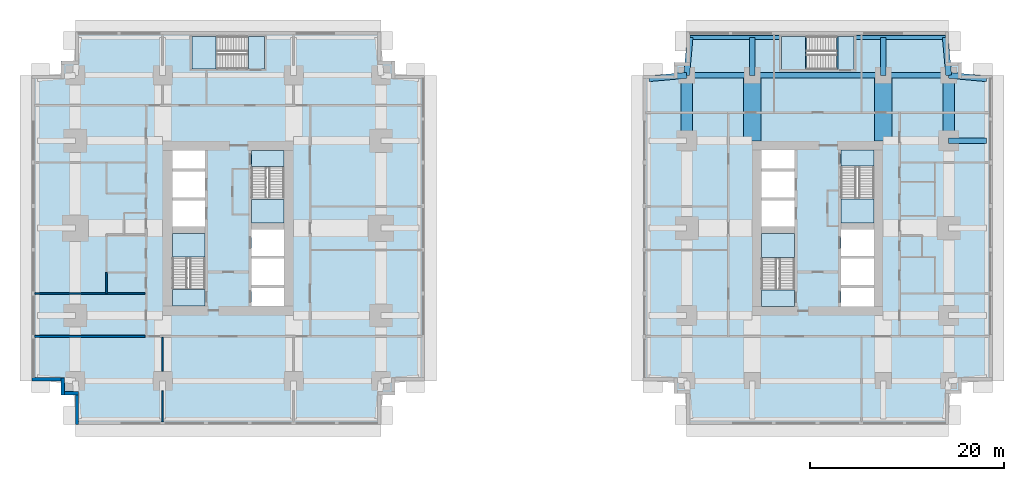
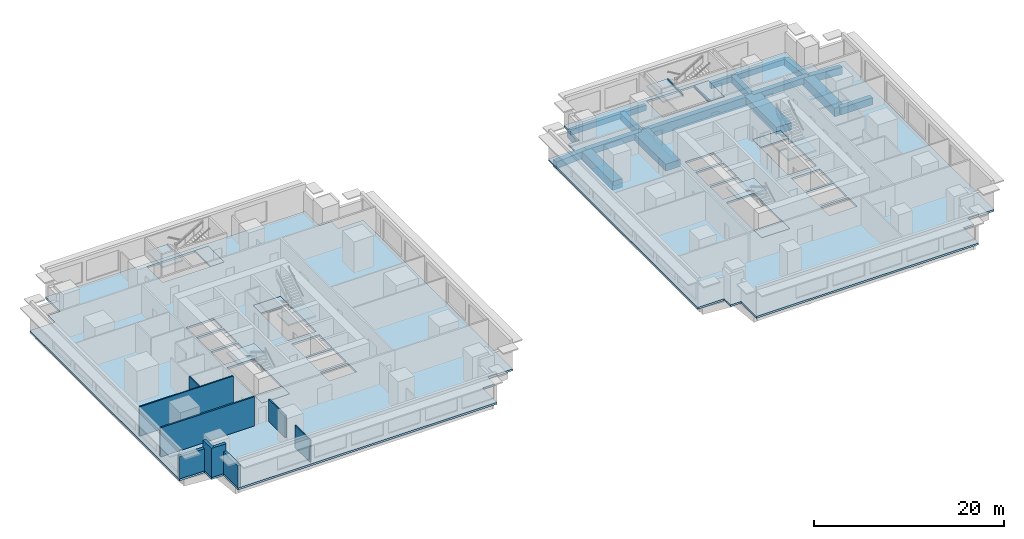
# One storey, part 2 of 11: 18 beams, 14 slabs, 9 walls, 6 elements without a shape of their own.
"""IFC4 building model written with IfcOpenShell, lengths in metres."""

from ifc_helpers import new_model, si_unit, direction, frame, frame_2d, origin, origin_2d, place, context, subcontext, project, spatial, polyline, rectangle, i_section, outline, extrude, material, layer, layer_set, material_profile, profile_set, type_object, element, aggregate, save


model = new_model("IFC4")

# Units and contexts
model_context = context("Model", 3, precision=1e-05, world=origin(), true_north=direction((0.0, 1.0)))
body_context = subcontext(model_context, "Body", "Model", "MODEL_VIEW")
ifc_project = project(units=[si_unit("LENGTHUNIT", "METRE"), si_unit("AREAUNIT", "SQUARE_METRE"), si_unit("VOLUMEUNIT", "CUBIC_METRE"), si_unit("PLANEANGLEUNIT", "RADIAN"), si_unit("MASSUNIT", "GRAM", prefix="KILO")], contexts=[model_context])

# Site, building, storey
site_placement = place(None, origin())
site = spatial("IfcSite", under=ifc_project, at=site_placement, CompositionType="ELEMENT")
building_placement = place(site_placement, origin())
building = spatial("IfcBuilding", under=site, at=building_placement, Name="Namib Vertical Campus", CompositionType="ELEMENT")
storey_placement = place(building_placement, frame((0.0, 0.0, 57.0)))
storey = spatial("IfcBuildingStorey", under=building, at=storey_placement, Name="L13", CompositionType="ELEMENT", Elevation=57.0)

# Beams
ifc_material_1 = material(Name="Concrete C40/50", Category="concrete")
ifc_material_profile_1 = material_profile(ifc_material_1, rectangle(XDim=0.60009765625, YDim=0.89990234375, at=origin_2d()))
ifc_profile_set_1 = profile_set([ifc_material_profile_1], Name="Concrete C40/50")
beam_type_1 = type_object("IfcBeamType", Name="Cantilever girder RC 600x900", PredefinedType="BEAM", material=ifc_profile_set_1)
beam_1_placement = place(storey_placement, frame((67.5, 36.0, -0.699951171875), z_axis=(0.089411326146, 0.995994786511, 0.0), x_axis=(-0.995994786511, 0.089411326146, 0.0)))
element("IfcBeam", 1, at=beam_1_placement, inside=storey, type_object=beam_type_1, Name="Beam B3 L13", PredefinedType="BEAM", context=body_context, shape_type="SweptSolid", body=[
    extrude(rectangle(XDim=0.60009765625, YDim=0.89990234375, at=origin_2d()), origin(), (0.0, 0.0, 1.0), 3.91552734375),
])
for number, where, z_axis, x_axis, name in (
    (2, (74.25, 36.0, -0.699951171875), (0.0, 1.0, 0.0), (-1.0, 0.0, 0.0), "Beam B3 L13"),
    (3, (87.75, 36.0, -0.699951171875), (0.0, 1.0, 0.0), (-1.0, 0.0, 0.0), "Beam B3 L13"),
):
    element("IfcBeam", number, at=place(storey_placement, frame(where, z_axis=z_axis, x_axis=x_axis)), inside=storey, type_object=beam_type_1, Name=name, PredefinedType="BEAM", context=body_context, shape_type="SweptSolid", body=[
        extrude(rectangle(XDim=0.60009765625, YDim=0.89990234375, at=origin_2d()), origin(), (0.0, 0.0, 1.0), 3.89990234375),
    ])
for number, where, z_axis, x_axis, name in (
    (4, (94.5, 36.0, -0.699951171875), (-0.089411326146, 0.995994786511, 0.0), (-0.995994786511, -0.089411326146, 0.0), "Beam B3 L13"),
    (5, (67.5, 36.0, -0.699951171875), (-0.995994786511, -0.089411326146, 0.0), (0.089411326146, -0.995994786511, 0.0), "Beam B3 L13"),
):
    element("IfcBeam", number, at=place(storey_placement, frame(where, z_axis=z_axis, x_axis=x_axis)), inside=storey, type_object=beam_type_1, Name=name, PredefinedType="BEAM", context=body_context, shape_type="SweptSolid", body=[
        extrude(rectangle(XDim=0.60009765625, YDim=0.89990234375, at=origin_2d()), origin(), (0.0, 0.0, 1.0), 3.91552734375),
    ])
beam_2_placement = place(storey_placement, frame((94.5, 29.25, -0.699951171875), z_axis=(1.0, 0.0, 0.0), x_axis=(0.0, 1.0, 0.0)))
element("IfcBeam", 6, at=beam_2_placement, inside=storey, type_object=beam_type_1, Name="Beam B3 L13", PredefinedType="BEAM", context=body_context, shape_type="SweptSolid", body=[
    extrude(rectangle(XDim=0.60009765625, YDim=0.89990234375, at=origin_2d()), origin(), (0.0, 0.0, 1.0), 3.89990234375),
])
beam_3_placement = place(storey_placement, frame((94.5, 36.0, -0.699951171875), z_axis=(0.995994786511, -0.089411326146, 0.0), x_axis=(0.089411326146, 0.995994786511, 0.0)))
element("IfcBeam", 7, at=beam_3_placement, inside=storey, type_object=beam_type_1, Name="Beam B3 L13", PredefinedType="BEAM", context=body_context, shape_type="SweptSolid", body=[
    extrude(rectangle(XDim=0.60009765625, YDim=0.89990234375, at=origin_2d()), origin(), (0.0, 0.0, 1.0), 3.91552734375),
])
ifc_material_2 = material(Name="Concrete C40/50", Category="concrete")
ifc_material_profile_2 = material_profile(ifc_material_2, rectangle(XDim=0.39990234375, YDim=0.699951171875, at=origin_2d()))
ifc_profile_set_2 = profile_set([ifc_material_profile_2], Name="Concrete C40/50")
beam_type_2 = type_object("IfcBeamType", Name="Edge beam RC 400x700", PredefinedType="SPANDREL", material=ifc_profile_set_2)
for number, where, z_axis, x_axis, name in (
    (8, (67.85009765625, 39.89990234375, -0.60009765625), (1.0, 0.0, 0.0), (0.0, 1.0, 0.0), "Beam B4 L13"),
    (9, (84.949951171875, 39.89990234375, -0.60009765625), (1.0, 0.0, 0.0), (0.0, 1.0, 0.0), "Beam B4 L13"),
):
    element("IfcBeam", number, at=place(storey_placement, frame(where, z_axis=z_axis, x_axis=x_axis)), inside=storey, type_object=beam_type_2, Name=name, PredefinedType="SPANDREL", context=body_context, shape_type="SweptSolid", body=[
        extrude(rectangle(XDim=0.39990234375, YDim=0.699951171875, at=origin_2d()), origin(), (0.0, 0.0, 1.0), 9.199951171875),
    ])
ifc_material_3 = material(Name="Concrete C40/50", Category="concrete")
ifc_material_profile_3 = material_profile(ifc_material_3, rectangle(XDim=1.199951171875, YDim=1.10009765625, at=origin_2d()))
ifc_profile_set_3 = profile_set([ifc_material_profile_3], Name="Concrete C40/50")
beam_type_3 = type_object("IfcBeamType", Name="Face ring beam RC 1200x1100", PredefinedType="BEAM", material=ifc_profile_set_3)
for number, where, z_axis, x_axis, name in (
    (10, (67.5, 29.25, -0.800048828125), (0.0, 1.0, 0.0), (-1.0, 0.0, 0.0), "Beam B11 L13"),
    (11, (94.5, 29.25, -0.800048828125), (0.0, 1.0, 0.0), (-1.0, 0.0, 0.0), "Beam B11 L13"),
):
    element("IfcBeam", number, at=place(storey_placement, frame(where, z_axis=z_axis, x_axis=x_axis)), inside=storey, type_object=beam_type_3, Name=name, PredefinedType="BEAM", context=body_context, shape_type="SweptSolid", body=[
        extrude(rectangle(XDim=1.199951171875, YDim=1.10009765625, at=origin_2d()), origin(), (0.0, 0.0, 1.0), 6.75),
    ])
ifc_material_4 = material(Name="Steel S355JR", Category="steel")
ifc_material_profile_4 = material_profile(ifc_material_4, i_section(OverallWidth=0.14599609375, OverallDepth=0.25146484375, WebThickness=0.006103515625, FlangeThickness=0.008544921875, FilletRadius=0.007568359375, at=origin_2d()))
ifc_profile_set_4 = profile_set([ifc_material_profile_4], Name="Steel S355JR")
beam_type_4 = type_object("IfcBeamType", Name="Landing trimmer UB 254x146x31", PredefinedType="BEAM", material=ifc_profile_set_4)
for number, where, z_axis, x_axis, name in (
    (12, (83.02294921875, 36.60009765625, -0.125732421875), (0.0, 1.0, 0.0), (-1.0, 0.0, 0.0), "Landing trimmer LT1 B-S3 L13 1"),
    (13, (79.796875, 36.60009765625, 1.874267578125), (0.0, 1.0, 0.0), (-1.0, 0.0, 0.0), "Landing trimmer LT1 B-S3 L13 2"),
):
    element("IfcBeam", number, at=place(storey_placement, frame(where, z_axis=z_axis, x_axis=x_axis)), inside=storey, type_object=beam_type_4, Name=name, PredefinedType="BEAM", context=body_context, shape_type="SweptSolid", body=[
        extrude(i_section(OverallWidth=0.14599609375, OverallDepth=0.25146484375, WebThickness=0.006103515625, FlangeThickness=0.008544921875, FilletRadius=0.007568359375, at=origin_2d()), origin(), (0.0, 0.0, 1.0), 3.39990234375),
    ])
ifc_material_5 = material(Name="Concrete C40/50", Category="concrete")
ifc_material_profile_5 = material_profile(ifc_material_5, rectangle(XDim=0.60009765625, YDim=1.199951171875, at=origin_2d()))
ifc_profile_set_5 = profile_set([ifc_material_profile_5], Name="Concrete C40/50")
beam_type_5 = type_object("IfcBeamType", Name="Long-span ring beam RC 600x1200", PredefinedType="BEAM", material=ifc_profile_set_5)
beam_4_placement = place(storey_placement, frame((74.25, 36.0, -0.85009765625), z_axis=(1.0, 0.0, 0.0), x_axis=(0.0, 1.0, 0.0)))
element("IfcBeam", 14, at=beam_4_placement, inside=storey, type_object=beam_type_5, Name="Beam B9 L13", PredefinedType="BEAM", context=body_context, shape_type="SweptSolid", body=[
    extrude(rectangle(XDim=0.60009765625, YDim=1.199951171875, at=origin_2d()), origin(), (0.0, 0.0, 1.0), 13.5),
])
ifc_material_6 = material(Name="Concrete C40/50", Category="concrete")
ifc_material_profile_6 = material_profile(ifc_material_6, rectangle(XDim=1.800048828125, YDim=0.89990234375, at=origin_2d()))
ifc_profile_set_6 = profile_set([ifc_material_profile_6], Name="Concrete C40/50")
beam_type_6 = type_object("IfcBeamType", Name="Outrigger line girder RC 1800x900", PredefinedType="BEAM", material=ifc_profile_set_6)
for number, where, z_axis, x_axis, name in (
    (15, (74.25, 36.0, -0.699951171875), (0.0, -1.0, 0.0), (1.0, 0.0, 0.0), "Beam B12 L13"),
    (16, (87.75, 36.0, -0.699951171875), (0.0, -1.0, 0.0), (1.0, 0.0, 0.0), "Beam B12 L13"),
):
    element("IfcBeam", number, at=place(storey_placement, frame(where, z_axis=z_axis, x_axis=x_axis)), inside=storey, type_object=beam_type_6, Name=name, PredefinedType="BEAM", context=body_context, shape_type="SweptSolid", body=[
        extrude(rectangle(XDim=1.800048828125, YDim=0.89990234375, at=origin_2d()), origin(), (0.0, 0.0, 1.0), 6.75),
    ])
ifc_material_7 = material(Name="Concrete C40/50", Category="concrete")
ifc_material_profile_7 = material_profile(ifc_material_7, rectangle(XDim=0.60009765625, YDim=0.800048828125, at=origin_2d()))
ifc_profile_set_7 = profile_set([ifc_material_profile_7], Name="Concrete C40/50")
beam_type_7 = type_object("IfcBeamType", Name="Ring beam RC 600x800", PredefinedType="BEAM", material=ifc_profile_set_7)
for number, where, z_axis, x_axis, name in (
    (17, (67.5, 36.0, -0.64990234375), (1.0, 0.0, 0.0), (0.0, 1.0, 0.0), "Beam B1 L13"),
    (18, (87.75, 36.0, -0.64990234375), (1.0, 0.0, 0.0), (0.0, 1.0, 0.0), "Beam B1 L13"),
):
    element("IfcBeam", number, at=place(storey_placement, frame(where, z_axis=z_axis, x_axis=x_axis)), inside=storey, type_object=beam_type_7, Name=name, PredefinedType="BEAM", context=body_context, shape_type="SweptSolid", body=[
        extrude(rectangle(XDim=0.60009765625, YDim=0.800048828125, at=origin_2d()), origin(), (0.0, 0.0, 1.0), 6.75),
    ])

# Slabs
ifc_material_8 = material(Name="Concrete C40/50", Category="concrete")
ifc_layer_1 = layer(ifc_material_8, 0.25)
ifc_layer_set_1 = layer_set([ifc_layer_1], Name="Concrete C40/50")
slab_type_1 = type_object("IfcSlabType", Name="Floor slab 250", PredefinedType="FLOOR", material=ifc_layer_set_1)
slab_1_placement = place(storey_placement, frame((0.0, 0.0, -0.25)))
element("IfcSlab", 19, at=slab_1_placement, inside=storey, type_object=slab_type_1, Name="Floor slab A L13", PredefinedType="FLOOR", context=body_context, shape_type="SweptSolid", body=[
    extrude(outline(polyline([(4.5, 0.0), (36.0, 0.0), (36.0, 3.050048828125), (37.449951171875, 3.050048828125), (37.449951171875, 4.5), (40.5, 4.5), (40.5, 36.0), (37.449951171875, 36.0), (37.449951171875, 37.449951171875), (36.0, 37.449951171875), (36.0, 40.5), (4.5, 40.5), (4.5, 37.449951171875), (3.050048828125, 37.449951171875), (3.050048828125, 36.0), (0.0, 36.0), (0.0, 4.5), (3.050048828125, 4.5), (3.050048828125, 3.050048828125), (4.5, 3.050048828125), (4.5, 0.0)]), holes=[polyline([(14.5, 12.25), (17.85009765625, 12.25), (17.85009765625, 19.699951171875), (14.5, 19.699951171875), (14.5, 12.25)]), polyline([(22.64990234375, 20.800048828125), (26.0, 20.800048828125), (26.0, 28.25), (22.64990234375, 28.25), (22.64990234375, 20.800048828125)]), polyline([(22.64990234375, 12.25), (26.0, 12.25), (26.0, 14.10009765625), (22.64990234375, 14.10009765625), (22.64990234375, 12.25)]), polyline([(14.5, 20.39990234375), (17.85009765625, 20.39990234375), (17.85009765625, 23.10009765625), (14.5, 23.10009765625), (14.5, 20.39990234375)]), polyline([(14.5, 23.39990234375), (17.85009765625, 23.39990234375), (17.85009765625, 26.10009765625), (14.5, 26.10009765625), (14.5, 23.39990234375)]), polyline([(14.5, 26.39990234375), (17.85009765625, 26.39990234375), (17.85009765625, 28.25), (14.5, 28.25), (14.5, 26.39990234375)]), polyline([(22.64990234375, 14.39990234375), (26.0, 14.39990234375), (26.0, 17.10009765625), (22.64990234375, 17.10009765625), (22.64990234375, 14.39990234375)]), polyline([(22.64990234375, 17.39990234375), (26.0, 17.39990234375), (26.0, 20.10009765625), (22.64990234375, 20.10009765625), (22.64990234375, 17.39990234375)]), polyline([(16.5, 36.64990234375), (24.0, 36.64990234375), (24.0, 40.0), (16.5, 40.0), (16.5, 36.64990234375)])]), origin(), (0.0, 0.0, 1.0), 0.25),
])
slab_2_placement = place(storey_placement, frame((0.0, 0.0, -0.25)))
element("IfcSlab", 20, at=slab_2_placement, inside=storey, type_object=slab_type_1, Name="Floor slab B L13", PredefinedType="FLOOR", context=body_context, shape_type="SweptSolid", body=[
    extrude(outline(polyline([(67.5, 0.0), (94.5, 0.0), (94.5, 3.199951171875), (95.800048828125, 3.199951171875), (95.800048828125, 4.5), (99.0, 4.5), (99.0, 36.0), (95.800048828125, 36.0), (95.800048828125, 37.300048828125), (94.5, 37.300048828125), (94.5, 40.5), (67.5, 40.5), (67.5, 37.300048828125), (66.199951171875, 37.300048828125), (66.199951171875, 36.0), (63.0, 36.0), (63.0, 4.5), (66.199951171875, 4.5), (66.199951171875, 3.199951171875), (67.5, 3.199951171875), (67.5, 0.0)]), holes=[polyline([(75.199951171875, 12.199951171875), (78.60009765625, 12.199951171875), (78.60009765625, 19.699951171875), (75.199951171875, 19.699951171875), (75.199951171875, 12.199951171875)]), polyline([(83.39990234375, 20.800048828125), (86.800048828125, 20.800048828125), (86.800048828125, 28.300048828125), (83.39990234375, 28.300048828125), (83.39990234375, 20.800048828125)]), polyline([(83.39990234375, 12.199951171875), (86.800048828125, 12.199951171875), (86.800048828125, 14.10009765625), (83.39990234375, 14.10009765625), (83.39990234375, 12.199951171875)]), polyline([(75.199951171875, 20.39990234375), (78.60009765625, 20.39990234375), (78.60009765625, 23.10009765625), (75.199951171875, 23.10009765625), (75.199951171875, 20.39990234375)]), polyline([(75.199951171875, 23.39990234375), (78.60009765625, 23.39990234375), (78.60009765625, 26.10009765625), (75.199951171875, 26.10009765625), (75.199951171875, 23.39990234375)]), polyline([(75.199951171875, 26.39990234375), (78.60009765625, 26.39990234375), (78.60009765625, 28.300048828125), (75.199951171875, 28.300048828125), (75.199951171875, 26.39990234375)]), polyline([(83.39990234375, 14.39990234375), (86.800048828125, 14.39990234375), (86.800048828125, 17.10009765625), (83.39990234375, 17.10009765625), (83.39990234375, 14.39990234375)]), polyline([(83.39990234375, 17.39990234375), (86.800048828125, 17.39990234375), (86.800048828125, 20.10009765625), (83.39990234375, 20.10009765625), (83.39990234375, 17.39990234375)]), polyline([(77.25, 36.60009765625), (84.75, 36.60009765625), (84.75, 40.0), (77.25, 40.0), (77.25, 36.60009765625)])]), origin(), (0.0, 0.0, 1.0), 0.25),
])

# Stair, slabs
ifc_material_9 = material(Name="Concrete C40/50 precast", Category="concrete")
stair_type_1 = type_object("IfcStairType", Name="Exit stair 4000 rise 24 risers 3350 wide", PredefinedType="HALF_TURN_STAIR", material=ifc_material_9)
stair_1_placement = place(storey_placement, origin())
stair_1 = element("IfcStair", 21, at=stair_1_placement, inside=storey, type_object=stair_type_1, Name="Exit stair A-S1 L13", PredefinedType="HALF_TURN_STAIR")
ifc_material_10 = material(Name="Concrete C40/50", Category="concrete")
ifc_layer_2 = layer(ifc_material_10, 0.199951171875)
ifc_layer_set_2 = layer_set([ifc_layer_2], Name="Concrete C40/50")
slab_type_2 = type_object("IfcSlabType", Name="Stair landing 200", PredefinedType="LANDING", material=ifc_layer_set_2)
slab_3_placement = place(storey_placement, frame((0.0, 0.0, -0.199951171875)))
slab_3 = element("IfcSlab", 22, at=slab_3_placement, type_object=slab_type_2, Name="A-S1 landing 1", PredefinedType="LANDING", context=body_context, shape_type="SweptSolid", body=[
    extrude(outline(polyline([(14.5, 12.25), (17.85009765625, 12.25), (17.85009765625, 13.90380859375), (14.5, 13.90380859375), (14.5, 12.25)])), origin(), (0.0, 0.0, 1.0), 0.199951171875),
])
slab_4_placement = place(storey_placement, frame((0.0, 0.0, 1.800048828125)))
slab_4 = element("IfcSlab", 23, at=slab_4_placement, type_object=slab_type_2, Name="A-S1 landing 2", PredefinedType="LANDING", context=body_context, shape_type="SweptSolid", body=[
    extrude(outline(polyline([(14.5, 17.276123046875), (17.85009765625, 17.276123046875), (17.85009765625, 19.699951171875), (14.5, 19.699951171875), (14.5, 17.276123046875)])), origin(), (0.0, 0.0, 1.0), 0.199951171875),
])
aggregate(stair_1, [slab_3, slab_4])

stair_2_placement = place(storey_placement, origin())
stair_2 = element("IfcStair", 24, at=stair_2_placement, inside=storey, type_object=stair_type_1, Name="Exit stair A-S2 L13", PredefinedType="HALF_TURN_STAIR")
slab_5_placement = place(storey_placement, frame((0.0, 0.0, -0.199951171875)))
slab_5 = element("IfcSlab", 25, at=slab_5_placement, type_object=slab_type_2, Name="A-S2 landing 1", PredefinedType="LANDING", context=body_context, shape_type="SweptSolid", body=[
    extrude(outline(polyline([(22.64990234375, 26.59619140625), (26.0, 26.59619140625), (26.0, 28.25), (22.64990234375, 28.25), (22.64990234375, 26.59619140625)])), origin(), (0.0, 0.0, 1.0), 0.199951171875),
])
slab_6_placement = place(storey_placement, frame((0.0, 0.0, 1.800048828125)))
slab_6 = element("IfcSlab", 26, at=slab_6_placement, type_object=slab_type_2, Name="A-S2 landing 2", PredefinedType="LANDING", context=body_context, shape_type="SweptSolid", body=[
    extrude(outline(polyline([(22.64990234375, 20.800048828125), (26.0, 20.800048828125), (26.0, 23.223876953125), (22.64990234375, 23.223876953125), (22.64990234375, 20.800048828125)])), origin(), (0.0, 0.0, 1.0), 0.199951171875),
])
aggregate(stair_2, [slab_5, slab_6])

ifc_material_11 = material(Name="Concrete C40/50 precast", Category="concrete")
stair_type_2 = type_object("IfcStairType", Name="Exit stair 4000 rise 24 risers 3400 wide", PredefinedType="HALF_TURN_STAIR", material=ifc_material_11)
stair_3_placement = place(storey_placement, origin())
stair_3 = element("IfcStair", 27, at=stair_3_placement, inside=storey, type_object=stair_type_2, Name="Exit stair B-S1 L13", PredefinedType="HALF_TURN_STAIR")
slab_7_placement = place(storey_placement, frame((0.0, 0.0, -0.199951171875)))
slab_7 = element("IfcSlab", 28, at=slab_7_placement, type_object=slab_type_2, Name="B-S1 landing 1", PredefinedType="LANDING", context=body_context, shape_type="SweptSolid", body=[
    extrude(outline(polyline([(75.199951171875, 12.199951171875), (78.60009765625, 12.199951171875), (78.60009765625, 13.85400390625), (75.199951171875, 13.85400390625), (75.199951171875, 12.199951171875)])), origin(), (0.0, 0.0, 1.0), 0.199951171875),
])
slab_8_placement = place(storey_placement, frame((0.0, 0.0, 1.800048828125)))
slab_8 = element("IfcSlab", 29, at=slab_8_placement, type_object=slab_type_2, Name="B-S1 landing 2", PredefinedType="LANDING", context=body_context, shape_type="SweptSolid", body=[
    extrude(outline(polyline([(75.199951171875, 17.22607421875), (78.60009765625, 17.22607421875), (78.60009765625, 19.699951171875), (75.199951171875, 19.699951171875), (75.199951171875, 17.22607421875)])), origin(), (0.0, 0.0, 1.0), 0.199951171875),
])
aggregate(stair_3, [slab_7, slab_8])

stair_4_placement = place(storey_placement, origin())
stair_4 = element("IfcStair", 30, at=stair_4_placement, inside=storey, type_object=stair_type_2, Name="Exit stair B-S2 L13", PredefinedType="HALF_TURN_STAIR")
slab_9_placement = place(storey_placement, frame((0.0, 0.0, -0.199951171875)))
slab_9 = element("IfcSlab", 31, at=slab_9_placement, type_object=slab_type_2, Name="B-S2 landing 1", PredefinedType="LANDING", context=body_context, shape_type="SweptSolid", body=[
    extrude(outline(polyline([(83.39990234375, 26.64599609375), (86.800048828125, 26.64599609375), (86.800048828125, 28.300048828125), (83.39990234375, 28.300048828125), (83.39990234375, 26.64599609375)])), origin(), (0.0, 0.0, 1.0), 0.199951171875),
])
slab_10_placement = place(storey_placement, frame((0.0, 0.0, 1.800048828125)))
slab_10 = element("IfcSlab", 32, at=slab_10_placement, type_object=slab_type_2, Name="B-S2 landing 2", PredefinedType="LANDING", context=body_context, shape_type="SweptSolid", body=[
    extrude(outline(polyline([(83.39990234375, 20.800048828125), (86.800048828125, 20.800048828125), (86.800048828125, 23.27392578125), (83.39990234375, 23.27392578125), (83.39990234375, 20.800048828125)])), origin(), (0.0, 0.0, 1.0), 0.199951171875),
])
aggregate(stair_4, [slab_9, slab_10])

stair_5_placement = place(storey_placement, origin())
stair_5 = element("IfcStair", 33, at=stair_5_placement, inside=storey, type_object=stair_type_1, Name="Exit stair A-S3 L13", PredefinedType="HALF_TURN_STAIR")
slab_11_placement = place(storey_placement, frame((0.0, 0.0, -0.199951171875)))
slab_11 = element("IfcSlab", 34, at=slab_11_placement, type_object=slab_type_2, Name="A-S3 landing 1", PredefinedType="LANDING", context=body_context, shape_type="SweptSolid", body=[
    extrude(outline(polyline([(22.34619140625, 36.64990234375), (22.34619140625, 40.0), (24.0, 40.0), (24.0, 36.64990234375), (22.34619140625, 36.64990234375)])), origin(), (0.0, 0.0, 1.0), 0.199951171875),
])
slab_12_placement = place(storey_placement, frame((0.0, 0.0, 1.800048828125)))
slab_12 = element("IfcSlab", 35, at=slab_12_placement, type_object=slab_type_2, Name="A-S3 landing 2", PredefinedType="LANDING", context=body_context, shape_type="SweptSolid", body=[
    extrude(outline(polyline([(16.5, 36.64990234375), (16.5, 40.0), (18.973876953125, 40.0), (18.973876953125, 36.64990234375), (16.5, 36.64990234375)])), origin(), (0.0, 0.0, 1.0), 0.199951171875),
])
aggregate(stair_5, [slab_11, slab_12])

stair_6_placement = place(storey_placement, origin())
stair_6 = element("IfcStair", 36, at=stair_6_placement, inside=storey, type_object=stair_type_2, Name="Exit stair B-S3 L13", PredefinedType="HALF_TURN_STAIR")
slab_13_placement = place(storey_placement, frame((0.0, 0.0, -0.199951171875)))
slab_13 = element("IfcSlab", 37, at=slab_13_placement, type_object=slab_type_2, Name="B-S3 landing 1", PredefinedType="LANDING", context=body_context, shape_type="SweptSolid", body=[
    extrude(outline(polyline([(83.09619140625, 36.60009765625), (83.09619140625, 40.0), (84.75, 40.0), (84.75, 36.60009765625), (83.09619140625, 36.60009765625)])), origin(), (0.0, 0.0, 1.0), 0.199951171875),
])
slab_14_placement = place(storey_placement, frame((0.0, 0.0, 1.800048828125)))
slab_14 = element("IfcSlab", 38, at=slab_14_placement, type_object=slab_type_2, Name="B-S3 landing 2", PredefinedType="LANDING", context=body_context, shape_type="SweptSolid", body=[
    extrude(outline(polyline([(77.25, 36.60009765625), (77.25, 40.0), (79.723876953125, 40.0), (79.723876953125, 36.60009765625), (77.25, 36.60009765625)])), origin(), (0.0, 0.0, 1.0), 0.199951171875),
])
aggregate(stair_6, [slab_13, slab_14])

# Walls
ifc_material_12 = material(Name="Concrete masonry", Category="masonry")
ifc_layer_3 = layer(ifc_material_12, 0.199951171875)
ifc_layer_set_3 = layer_set([ifc_layer_3], Name="Corridor wall 200")
wall_type_1 = type_object("IfcWallType", Name="Corridor wall 200", PredefinedType="SOLIDWALL", material=ifc_layer_set_3)
wall_1_placement = place(storey_placement, frame((0.300048828125, 9.10009765625, 0.0), z_axis=(0.0, 0.0, 1.0), x_axis=(1.0, 0.0, 0.0)))
element("IfcWall", 39, at=wall_1_placement, inside=storey, type_object=wall_type_1, Name="Partition A L13 BSW", PredefinedType="SOLIDWALL", context=body_context, shape_type="SweptSolid", body=[
    extrude(rectangle(XDim=11.39990234375, YDim=0.199951171875, at=frame_2d((5.699951171875, 0.0))), origin(), (0.0, 0.0, 1.0), 3.75),
])
ifc_material_13 = material(Name="Concrete C40/50", Category="concrete")
ifc_layer_4 = layer(ifc_material_13, 0.35009765625)
ifc_layer_set_4 = layer_set([ifc_layer_4], Name="Concrete C40/50")
wall_type_2 = type_object("IfcWallType", Name="External wall 350 bush-hammered concrete", PredefinedType="STANDARD", material=ifc_layer_set_4)
wall_2_placement = place(storey_placement, frame((0.02001953125, 4.675048828125, 0.0), z_axis=(0.0, 0.0, 1.0), x_axis=(1.0, 0.0, 0.0)))
element("IfcWall", 40, at=wall_2_placement, inside=storey, type_object=wall_type_2, Name="External wall L13 F17", PredefinedType="STANDARD", context=body_context, shape_type="SweptSolid", body=[
    extrude(rectangle(XDim=3.35986328125, YDim=0.35009765625, at=frame_2d((1.679931640625, 0.0))), origin(), (0.0, 0.0, 1.0), 2.85009765625),
])
for number, where, z_axis, x_axis, name in (
    (41, (3.22509765625, 4.830078125, 0.0), (0.0, 0.0, 1.0), (0.0, -1.0, 0.0), "External wall L13 F18"),
    (42, (3.070068359375, 3.22509765625, 0.0), (0.0, 0.0, 1.0), (1.0, 0.0, 0.0), "External wall L13 F19"),
):
    element("IfcWall", number, at=place(storey_placement, frame(where, z_axis=z_axis, x_axis=x_axis)), inside=storey, type_object=wall_type_2, Name=name, PredefinedType="STANDARD", context=body_context, shape_type="SweptSolid", body=[
        extrude(rectangle(XDim=1.760009765625, YDim=0.35009765625, at=frame_2d((0.8798828125, 0.0))), origin(), (0.0, 0.0, 1.0), 3.75),
    ])
wall_3_placement = place(storey_placement, frame((4.675048828125, 3.3798828125, 0.0), z_axis=(0.0, 0.0, 1.0), x_axis=(0.0, -1.0, 0.0)))
element("IfcWall", 43, at=wall_3_placement, inside=storey, type_object=wall_type_2, Name="External wall L13 F20", PredefinedType="STANDARD", context=body_context, shape_type="SweptSolid", body=[
    extrude(rectangle(XDim=3.35986328125, YDim=0.35009765625, at=frame_2d((1.679931640625, 0.0))), origin(), (0.0, 0.0, 1.0), 2.85009765625),
])
ifc_material_14 = material(Name="Gypsum board on steel studs", Category="steel")
ifc_layer_5 = layer(ifc_material_14, 0.14990234375)
ifc_layer_set_5 = layer_set([ifc_layer_5], Name="Gypsum board on steel studs")
wall_type_3 = type_object("IfcWallType", Name="Partition 150", PredefinedType="PARTITIONING", material=ifc_layer_set_5)
wall_4_placement = place(storey_placement, frame((13.5, 0.300048828125, 0.0), z_axis=(0.0, 0.0, 1.0), x_axis=(0.0, 1.0, 0.0)))
element("IfcWall", 44, at=wall_4_placement, inside=storey, type_object=wall_type_3, Name="Partition A L13 PS1", PredefinedType="PARTITIONING", context=body_context, shape_type="SweptSolid", body=[
    extrude(rectangle(XDim=3.179931640625, YDim=0.14990234375, at=frame_2d((1.58984375, 0.0))), origin(), (0.0, 0.0, 1.0), 2.85009765625),
])
wall_5_placement = place(storey_placement, frame((13.5, 5.52001953125, 0.0), z_axis=(0.0, 0.0, 1.0), x_axis=(0.0, 1.0, 0.0)))
element("IfcWall", 45, at=wall_5_placement, inside=storey, type_object=wall_type_3, Name="Partition A L13 PS1", PredefinedType="PARTITIONING", context=body_context, shape_type="SweptSolid", body=[
    extrude(rectangle(XDim=3.47998046875, YDim=0.14990234375, at=frame_2d((1.739990234375, 0.0))), origin(), (0.0, 0.0, 1.0), 2.85009765625),
])
wall_6_placement = place(storey_placement, frame((0.300048828125, 13.5, 0.0), z_axis=(0.0, 0.0, 1.0), x_axis=(1.0, 0.0, 0.0)))
element("IfcWall", 46, at=wall_6_placement, inside=storey, type_object=wall_type_3, Name="Partition A L13 PW1", PredefinedType="PARTITIONING", context=body_context, shape_type="SweptSolid", body=[
    extrude(rectangle(XDim=11.39990234375, YDim=0.14990234375, at=frame_2d((5.699951171875, 0.0))), origin(), (0.0, 0.0, 1.0), 3.75),
])
wall_7_placement = place(storey_placement, frame((7.699951171875, 13.5, 0.0), z_axis=(0.0, 0.0, 1.0), x_axis=(0.0, 1.0, 0.0)))
element("IfcWall", 47, at=wall_7_placement, inside=storey, type_object=wall_type_3, Name="Partition A L13 WB1", PredefinedType="PARTITIONING", context=body_context, shape_type="SweptSolid", body=[
    extrude(rectangle(XDim=2.199951171875, YDim=0.14990234375, at=frame_2d((1.10009765625, 0.0))), origin(), (0.0, 0.0, 1.0), 3.75),
])

save(model, "model.ifc")
